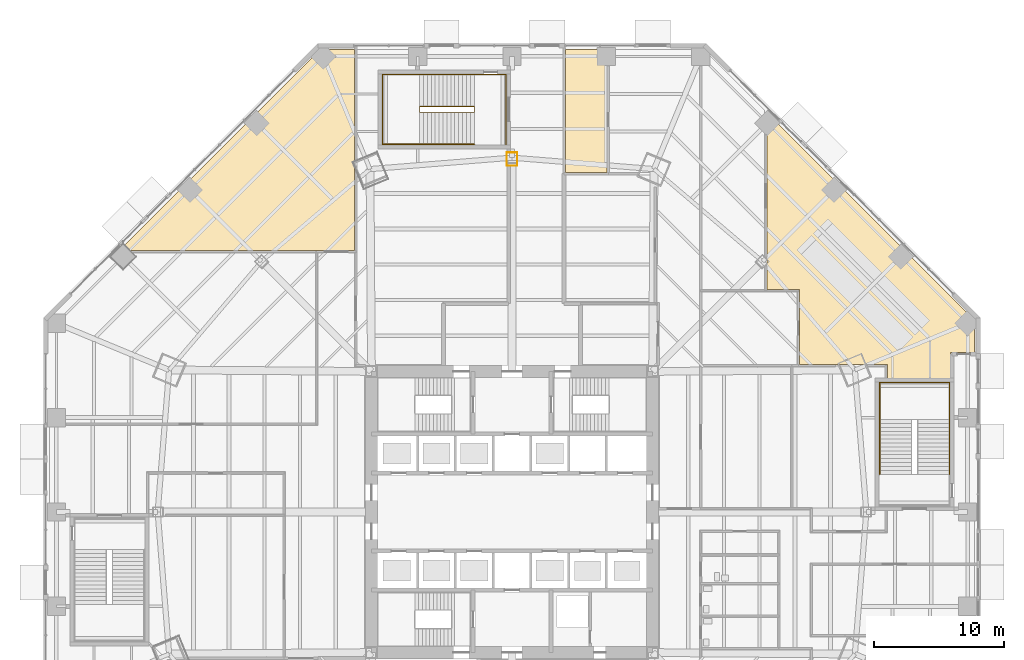
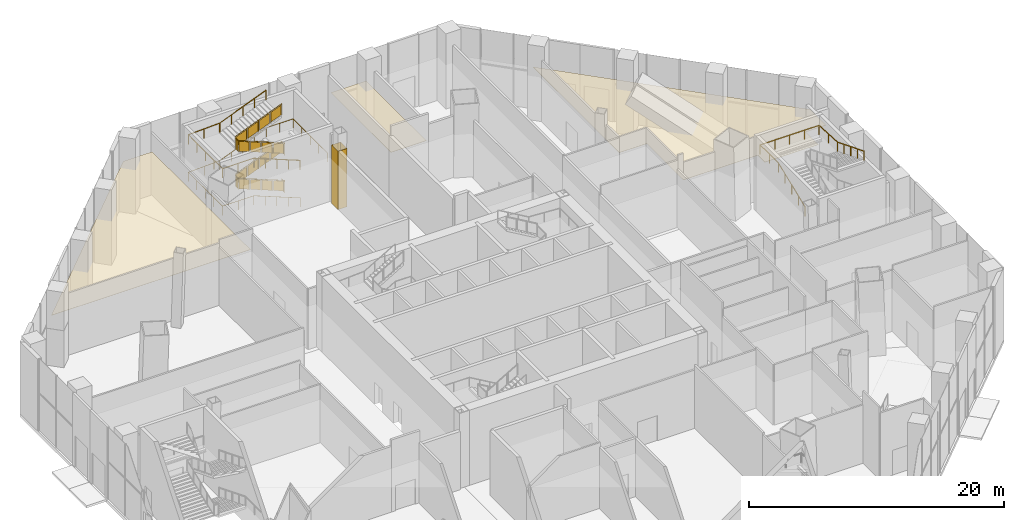
# One storey, part 33 of 35: 4 coverings, 4 railings.
"""IFC4 building model written with IfcOpenShell, lengths in metres."""

from ifc_helpers import new_model, si_unit, direction, frame, origin, origin_2d, place, context, subcontext, project, spatial, polyline, circle, outline, extrude, material, layer, layer_set, type_object, element, save


model = new_model("IFC4")

# Units and contexts
model_context = context("Model", 3, precision=1e-05, world=origin(), true_north=direction((0.0, 1.0)))
body_context = subcontext(model_context, "Body", "Model", "MODEL_VIEW")
ifc_project = project(units=[si_unit("LENGTHUNIT", "METRE"), si_unit("AREAUNIT", "SQUARE_METRE"), si_unit("VOLUMEUNIT", "CUBIC_METRE"), si_unit("PLANEANGLEUNIT", "RADIAN"), si_unit("MASSUNIT", "GRAM", prefix="KILO")], contexts=[model_context])

# Site, building, storey
site_placement = place(None, origin())
site = spatial("IfcSite", under=ifc_project, at=site_placement, CompositionType="ELEMENT")
building_placement = place(site_placement, origin())
building = spatial("IfcBuilding", under=site, at=building_placement, Name="Mashrafa Tower", CompositionType="ELEMENT")
storey_placement = place(building_placement, origin())
storey = spatial("IfcBuildingStorey", under=building, at=storey_placement, Name="L00", CompositionType="ELEMENT", Elevation=0.0)

# Covering
ifc_material_1 = material(Name="Gypsum board")
ifc_layer_1 = layer(ifc_material_1, 0.014892578125)
ifc_layer_set_1 = layer_set([ifc_layer_1], Name="Column casing plasterboard 15")
covering_type_1 = type_object("IfcCoveringType", Name="Column casing plasterboard 15", PredefinedType="CLADDING", material=ifc_layer_set_1)
covering_1_placement = place(storey_placement, origin())
element("IfcCovering", 1, at=covering_1_placement, inside=storey, type_object=covering_type_1, Name="Column casing L00-003", PredefinedType="CLADDING", context=body_context, shape_type="SweptSolid", body=[
    extrude(outline(polyline([(-0.4150390625, 27.6298828125), (0.4150390625, 27.6298828125), (0.4150390625, 26.595947265625), (-0.4150390625, 26.595947265625), (-0.4150390625, 27.6298828125)]), holes=[polyline([(0.39990234375, 26.61083984375), (0.39990234375, 27.614990234375), (-0.39990234375, 27.614990234375), (-0.39990234375, 26.61083984375), (0.39990234375, 26.61083984375)])]), origin(), (0.0, 0.0, 1.0), 5.590087890625),
])

# Railings
ifc_material_2 = material(Name="Steel guard with glass infill", Category="steel")
railing_type_1 = type_object("IfcRailingType", Name="Stair guard 1100", PredefinedType="GUARDRAIL", material=ifc_material_2)
railing_1_placement = place(storey_placement, frame((-2.89990234375, 31.14990234375, 0.0)))
element("IfcRailing", 2, at=railing_1_placement, inside=storey, type_object=railing_type_1, Name="Stair P2 guard L00", PredefinedType="GUARDRAIL", context=body_context, shape_type="SweptSolid", body=[
    extrude(circle(Radius=0.02392578125, at=origin_2d()), frame((0.0, 0.0, 1.076171875), z_axis=(0.0, -1.0, 0.0), x_axis=(1.0, 0.0, 0.0)), (0.0, 0.0, 1.0), 0.449951171875),
    extrude(circle(Radius=0.02392578125, at=origin_2d()), frame((0.0, -0.449951171875, 1.076171875), z_axis=(0.0, 0.0, 1.0), x_axis=(1.0, 0.0, 0.0)), (0.0, 0.0, 1.0), 0.1201171875),
    extrude(circle(Radius=0.02392578125, at=origin_2d()), frame((0.0, -0.449951171875, 1.1962890625), z_axis=(-0.928487856528, 0.0, 0.37136276103), x_axis=(0.0, -1.0, 0.0)), (0.0, 0.0, 1.0), 4.523681640625),
    extrude(circle(Radius=0.02392578125, at=origin_2d()), frame((-4.2001953125, -0.449951171875, 2.8759765625), z_axis=(0.0, 1.0, 0.0), x_axis=(-1.0, 0.0, 0.0)), (0.0, 0.0, 1.0), 0.449951171875),
    extrude(circle(Radius=0.02392578125, at=origin_2d()), frame((-4.2001953125, 0.0, 2.8759765625), z_axis=(0.0, 0.0, 1.0), x_axis=(1.0, 0.0, 0.0)), (0.0, 0.0, 1.0), 0.119873046875),
    extrude(circle(Radius=0.02392578125, at=origin_2d()), frame((-4.2001953125, 0.0, 2.99609375), z_axis=(0.928469246806, 0.0, 0.37140928601), x_axis=(0.0, 1.0, 0.0)), (0.0, 0.0, 1.0), 4.523681640625),
    extrude(circle(Radius=0.02392578125, at=origin_2d()), frame((0.0, 0.0, 4.67626953125), z_axis=(0.0, -1.0, 0.0), x_axis=(1.0, 0.0, 0.0)), (0.0, 0.0, 1.0), 0.449951171875),
    extrude(circle(Radius=0.02392578125, at=origin_2d()), frame((0.0, -0.449951171875, 4.67626953125), z_axis=(0.0, 0.0, 1.0), x_axis=(1.0, 0.0, 0.0)), (0.0, 0.0, 1.0), 0.119873046875),
    extrude(circle(Radius=0.02392578125, at=origin_2d()), frame((0.0, -0.449951171875, 4.7958984375), z_axis=(-0.928487856528, 0.0, 0.37136276103), x_axis=(0.0, -1.0, 0.0)), (0.0, 0.0, 1.0), 4.523681640625),
    extrude(circle(Radius=0.02392578125, at=origin_2d()), frame((-4.2001953125, -0.449951171875, 6.47607421875), z_axis=(0.0, 1.0, 0.0), x_axis=(-1.0, 0.0, 0.0)), (0.0, 0.0, 1.0), 0.449951171875),
    extrude(circle(Radius=0.02392578125, at=origin_2d()), frame((-4.2001953125, 0.0, 6.47607421875), z_axis=(0.0, 0.0, 1.0), x_axis=(1.0, 0.0, 0.0)), (0.0, 0.0, 1.0), 0.1201171875),
    extrude(circle(Radius=0.02392578125, at=origin_2d()), frame((-4.2001953125, 0.0, 6.59619140625), z_axis=(0.928487856528, 0.0, 0.37136276103), x_axis=(0.0, 1.0, 0.0)), (0.0, 0.0, 1.0), 4.523681640625),
    extrude(circle(Radius=0.02099609375, at=origin_2d()), origin(), (0.0, 0.0, 1.0), 1.052001953125),
    extrude(circle(Radius=0.02099609375, at=origin_2d()), frame((0.0, -0.449951171875, 0.0)), (0.0, 0.0, 1.0), 1.052001953125),
    extrude(circle(Radius=0.02099609375, at=origin_2d()), frame((0.0, -0.449951171875, 0.1201171875)), (0.0, 0.0, 1.0), 1.052001953125),
    extrude(circle(Radius=0.02099609375, at=origin_2d()), frame((-1.050048828125, -0.449951171875, 0.5400390625)), (0.0, 0.0, 1.0), 1.052001953125),
    extrude(circle(Radius=0.02099609375, at=origin_2d()), frame((-2.10009765625, -0.449951171875, 0.9599609375)), (0.0, 0.0, 1.0), 1.052001953125),
    extrude(circle(Radius=0.02099609375, at=origin_2d()), frame((-3.150146484375, -0.449951171875, 1.380126953125)), (0.0, 0.0, 1.0), 1.052001953125),
    extrude(circle(Radius=0.02099609375, at=origin_2d()), frame((-4.2001953125, -0.449951171875, 1.800048828125)), (0.0, 0.0, 1.0), 1.052001953125),
    extrude(circle(Radius=0.02099609375, at=origin_2d()), frame((-4.2001953125, 0.0, 1.800048828125)), (0.0, 0.0, 1.0), 1.052001953125),
    extrude(circle(Radius=0.02099609375, at=origin_2d()), frame((-4.2001953125, 0.0, 1.919921875)), (0.0, 0.0, 1.0), 1.052001953125),
    extrude(circle(Radius=0.02099609375, at=origin_2d()), frame((-3.150146484375, 0.0, 2.33984375)), (0.0, 0.0, 1.0), 1.052001953125),
    extrude(circle(Radius=0.02099609375, at=origin_2d()), frame((-2.10009765625, 0.0, 2.760009765625)), (0.0, 0.0, 1.0), 1.052001953125),
    extrude(circle(Radius=0.02099609375, at=origin_2d()), frame((-1.050048828125, 0.0, 3.18017578125)), (0.0, 0.0, 1.0), 1.052001953125),
    extrude(circle(Radius=0.02099609375, at=origin_2d()), frame((0.0, 0.0, 3.60009765625)), (0.0, 0.0, 1.0), 1.052001953125),
    extrude(circle(Radius=0.02099609375, at=origin_2d()), frame((0.0, -0.449951171875, 3.60009765625)), (0.0, 0.0, 1.0), 1.052001953125),
    extrude(circle(Radius=0.02099609375, at=origin_2d()), frame((0.0, -0.449951171875, 3.719970703125)), (0.0, 0.0, 1.0), 1.052001953125),
    extrude(circle(Radius=0.02099609375, at=origin_2d()), frame((-1.050048828125, -0.449951171875, 4.139892578125)), (0.0, 0.0, 1.0), 1.052001953125),
    extrude(circle(Radius=0.02099609375, at=origin_2d()), frame((-2.10009765625, -0.449951171875, 4.56005859375)), (0.0, 0.0, 1.0), 1.052001953125),
    extrude(circle(Radius=0.02099609375, at=origin_2d()), frame((-3.150146484375, -0.449951171875, 4.97998046875)), (0.0, 0.0, 1.0), 1.052001953125),
    extrude(circle(Radius=0.02099609375, at=origin_2d()), frame((-4.2001953125, -0.449951171875, 5.39990234375)), (0.0, 0.0, 1.0), 1.052001953125),
    extrude(circle(Radius=0.02099609375, at=origin_2d()), frame((-4.2001953125, 0.0, 5.39990234375)), (0.0, 0.0, 1.0), 1.052001953125),
    extrude(circle(Radius=0.02099609375, at=origin_2d()), frame((-4.2001953125, 0.0, 5.52001953125)), (0.0, 0.0, 1.0), 1.052001953125),
    extrude(circle(Radius=0.02099609375, at=origin_2d()), frame((-3.150146484375, 0.0, 5.93994140625)), (0.0, 0.0, 1.0), 1.052001953125),
    extrude(circle(Radius=0.02099609375, at=origin_2d()), frame((-2.10009765625, 0.0, 6.35986328125)), (0.0, 0.0, 1.0), 1.052001953125),
    extrude(circle(Radius=0.02099609375, at=origin_2d()), frame((-1.050048828125, 0.0, 6.780029296875)), (0.0, 0.0, 1.0), 1.052001953125),
    extrude(circle(Radius=0.02099609375, at=origin_2d()), frame((0.0, 0.0, 7.199951171875)), (0.0, 0.0, 1.0), 1.052001953125),
    extrude(outline(polyline([(0.071044921875, 0.050048828125), (0.37890625, 0.050048828125), (0.37890625, 1.001953125), (0.071044921875, 1.001953125), (0.071044921875, 0.050048828125)])), frame((-0.006103515625, 0.0, 0.0), z_axis=(-1.0, 0.0, 0.0), x_axis=(0.0, -1.0, 0.0)), (0.0, 0.0, 1.0), 0.011962890625),
    extrude(outline(polyline([(0.071044921875, 0.078369140625), (0.97900390625, 0.441650390625), (0.97900390625, 1.3935546875), (0.071044921875, 1.030517578125), (0.071044921875, 0.078369140625)])), frame((0.0, -0.44384765625, 0.1201171875), z_axis=(0.0, 1.0, 0.0), x_axis=(-1.0, 0.0, 0.0)), (0.0, 0.0, 1.0), 0.011962890625),
    extrude(outline(polyline([(1.12109375, 0.498291015625), (2.029052734375, 0.861572265625), (2.029052734375, 1.8134765625), (1.12109375, 1.450439453125), (1.12109375, 0.498291015625)])), frame((0.0, -0.44384765625, 0.1201171875), z_axis=(0.0, 1.0, 0.0), x_axis=(-1.0, 0.0, 0.0)), (0.0, 0.0, 1.0), 0.011962890625),
    extrude(outline(polyline([(2.171142578125, 0.91845703125), (3.0791015625, 1.281494140625), (3.0791015625, 2.233642578125), (2.171142578125, 1.870361328125), (2.171142578125, 0.91845703125)])), frame((0.0, -0.44384765625, 0.1201171875), z_axis=(0.0, 1.0, 0.0), x_axis=(-1.0, 0.0, 0.0)), (0.0, 0.0, 1.0), 0.011962890625),
    extrude(outline(polyline([(3.22119140625, 1.33837890625), (4.129150390625, 1.701416015625), (4.129150390625, 2.653564453125), (3.22119140625, 2.290283203125), (3.22119140625, 1.33837890625)])), frame((0.0, -0.44384765625, 0.1201171875), z_axis=(0.0, 1.0, 0.0), x_axis=(-1.0, 0.0, 0.0)), (0.0, 0.0, 1.0), 0.011962890625),
    extrude(outline(polyline([(0.071044921875, 0.050048828125), (0.37890625, 0.050048828125), (0.37890625, 1.001953125), (0.071044921875, 1.001953125), (0.071044921875, 0.050048828125)])), frame((-4.194091796875, -0.449951171875, 1.800048828125), z_axis=(1.0, 0.0, 0.0), x_axis=(0.0, 1.0, 0.0)), (0.0, 0.0, 1.0), 0.011962890625),
    extrude(outline(polyline([(0.071044921875, 0.078369140625), (0.97900390625, 0.441650390625), (0.97900390625, 1.3935546875), (0.071044921875, 1.030517578125), (0.071044921875, 0.078369140625)])), frame((-4.2001953125, -0.006103515625, 1.919921875), z_axis=(0.0, -1.0, 0.0), x_axis=(1.0, 0.0, 0.0)), (0.0, 0.0, 1.0), 0.011962890625),
    extrude(outline(polyline([(1.12109375, 0.49853515625), (2.029052734375, 0.861572265625), (2.029052734375, 1.813720703125), (1.12109375, 1.450439453125), (1.12109375, 0.49853515625)])), frame((-4.2001953125, -0.006103515625, 1.919921875), z_axis=(0.0, -1.0, 0.0), x_axis=(1.0, 0.0, 0.0)), (0.0, 0.0, 1.0), 0.011962890625),
    extrude(outline(polyline([(2.171142578125, 0.91845703125), (3.0791015625, 1.28173828125), (3.0791015625, 2.233642578125), (2.171142578125, 1.87060546875), (2.171142578125, 0.91845703125)])), frame((-4.2001953125, -0.006103515625, 1.919921875), z_axis=(0.0, -1.0, 0.0), x_axis=(1.0, 0.0, 0.0)), (0.0, 0.0, 1.0), 0.011962890625),
    extrude(outline(polyline([(3.22119140625, 1.338623046875), (4.129150390625, 1.70166015625), (4.129150390625, 2.65380859375), (3.22119140625, 2.29052734375), (3.22119140625, 1.338623046875)])), frame((-4.2001953125, -0.006103515625, 1.919921875), z_axis=(0.0, -1.0, 0.0), x_axis=(1.0, 0.0, 0.0)), (0.0, 0.0, 1.0), 0.011962890625),
    extrude(outline(polyline([(0.071044921875, 0.050048828125), (0.37890625, 0.050048828125), (0.37890625, 1.001953125), (0.071044921875, 1.001953125), (0.071044921875, 0.050048828125)])), frame((-0.006103515625, 0.0, 3.60009765625), z_axis=(-1.0, 0.0, 0.0), x_axis=(0.0, -1.0, 0.0)), (0.0, 0.0, 1.0), 0.011962890625),
    extrude(outline(polyline([(0.071044921875, 0.078369140625), (0.97900390625, 0.441650390625), (0.97900390625, 1.3935546875), (0.071044921875, 1.030517578125), (0.071044921875, 0.078369140625)])), frame((0.0, -0.44384765625, 3.719970703125), z_axis=(0.0, 1.0, 0.0), x_axis=(-1.0, 0.0, 0.0)), (0.0, 0.0, 1.0), 0.011962890625),
    extrude(outline(polyline([(1.12109375, 0.498291015625), (2.029052734375, 0.861572265625), (2.029052734375, 1.8134765625), (1.12109375, 1.450439453125), (1.12109375, 0.498291015625)])), frame((0.0, -0.44384765625, 3.719970703125), z_axis=(0.0, 1.0, 0.0), x_axis=(-1.0, 0.0, 0.0)), (0.0, 0.0, 1.0), 0.011962890625),
    extrude(outline(polyline([(2.171142578125, 0.91845703125), (3.0791015625, 1.281494140625), (3.0791015625, 2.233642578125), (2.171142578125, 1.870361328125), (2.171142578125, 0.91845703125)])), frame((0.0, -0.44384765625, 3.719970703125), z_axis=(0.0, 1.0, 0.0), x_axis=(-1.0, 0.0, 0.0)), (0.0, 0.0, 1.0), 0.011962890625),
    extrude(outline(polyline([(3.22119140625, 1.33837890625), (4.129150390625, 1.701416015625), (4.129150390625, 2.653564453125), (3.22119140625, 2.290283203125), (3.22119140625, 1.33837890625)])), frame((0.0, -0.44384765625, 3.719970703125), z_axis=(0.0, 1.0, 0.0), x_axis=(-1.0, 0.0, 0.0)), (0.0, 0.0, 1.0), 0.011962890625),
    extrude(outline(polyline([(0.071044921875, 0.050048828125), (0.37890625, 0.050048828125), (0.37890625, 1.001953125), (0.071044921875, 1.001953125), (0.071044921875, 0.050048828125)])), frame((-4.194091796875, -0.449951171875, 5.39990234375), z_axis=(1.0, 0.0, 0.0), x_axis=(0.0, 1.0, 0.0)), (0.0, 0.0, 1.0), 0.011962890625),
    extrude(outline(polyline([(0.071044921875, 0.078369140625), (0.97900390625, 0.441650390625), (0.97900390625, 1.3935546875), (0.071044921875, 1.030517578125), (0.071044921875, 0.078369140625)])), frame((-4.2001953125, -0.006103515625, 5.52001953125), z_axis=(0.0, -1.0, 0.0), x_axis=(1.0, 0.0, 0.0)), (0.0, 0.0, 1.0), 0.011962890625),
    extrude(outline(polyline([(1.12109375, 0.498291015625), (2.029052734375, 0.861572265625), (2.029052734375, 1.8134765625), (1.12109375, 1.450439453125), (1.12109375, 0.498291015625)])), frame((-4.2001953125, -0.006103515625, 5.52001953125), z_axis=(0.0, -1.0, 0.0), x_axis=(1.0, 0.0, 0.0)), (0.0, 0.0, 1.0), 0.011962890625),
    extrude(outline(polyline([(2.171142578125, 0.91845703125), (3.0791015625, 1.281494140625), (3.0791015625, 2.233642578125), (2.171142578125, 1.870361328125), (2.171142578125, 0.91845703125)])), frame((-4.2001953125, -0.006103515625, 5.52001953125), z_axis=(0.0, -1.0, 0.0), x_axis=(1.0, 0.0, 0.0)), (0.0, 0.0, 1.0), 0.011962890625),
    extrude(outline(polyline([(3.22119140625, 1.33837890625), (4.129150390625, 1.701416015625), (4.129150390625, 2.653564453125), (3.22119140625, 2.290283203125), (3.22119140625, 1.33837890625)])), frame((-4.2001953125, -0.006103515625, 5.52001953125), z_axis=(0.0, -1.0, 0.0), x_axis=(1.0, 0.0, 0.0)), (0.0, 0.0, 1.0), 0.011962890625),
])
ifc_material_3 = material(Name="Steel", Category="steel")
railing_type_2 = type_object("IfcRailingType", Name="Stair handrail 900", PredefinedType="HANDRAIL", material=ifc_material_3)
railing_2_placement = place(storey_placement, frame((28.25, 2.89990234375, 3.719970703125)))
element("IfcRailing", 3, at=railing_2_placement, inside=storey, type_object=railing_type_2, Name="Stair P1 upper handrail L00", PredefinedType="HANDRAIL", context=body_context, shape_type="SweptSolid", body=[
    extrude(circle(Radius=0.02392578125, at=origin_2d()), frame((0.0, 0.0, 0.8759765625), z_axis=(0.0, 0.928487856528, 0.37136276103), x_axis=(-1.0, 0.0, 0.0)), (0.0, 0.0, 1.0), 4.523681640625),
    extrude(circle(Radius=0.02392578125, at=origin_2d()), frame((0.0, 4.2001953125, 2.5556640625), z_axis=(0.0, 1.0, 0.0), x_axis=(-1.0, 0.0, 0.0)), (0.0, 0.0, 1.0), 2.849853515625),
    extrude(circle(Radius=0.02392578125, at=origin_2d()), frame((0.0, 7.050048828125, 2.5556640625), z_axis=(1.0, 0.0, 0.0), x_axis=(0.0, 1.0, 0.0)), (0.0, 0.0, 1.0), 5.35009765625),
    extrude(circle(Radius=0.02392578125, at=origin_2d()), frame((5.35009765625, 7.050048828125, 2.5556640625), z_axis=(0.0, -0.999112931687, 0.04211115929), x_axis=(1.0, 0.0, 0.0)), (0.0, 0.0, 1.0), 2.852294921875),
    extrude(circle(Radius=0.02392578125, at=origin_2d()), frame((5.35009765625, 4.2001953125, 2.67578125), z_axis=(0.0, -0.928487856528, 0.37136276103), x_axis=(1.0, 0.0, 0.0)), (0.0, 0.0, 1.0), 4.523681640625),
    extrude(circle(Radius=0.02099609375, at=origin_2d()), origin(), (0.0, 0.0, 1.0), 0.851806640625),
    extrude(circle(Radius=0.02099609375, at=origin_2d()), frame((0.0, 1.050048828125, 0.419921875)), (0.0, 0.0, 1.0), 0.851806640625),
    extrude(circle(Radius=0.02099609375, at=origin_2d()), frame((0.0, 2.10009765625, 0.83984375)), (0.0, 0.0, 1.0), 0.851806640625),
    extrude(circle(Radius=0.02099609375, at=origin_2d()), frame((0.0, 3.150146484375, 1.260009765625)), (0.0, 0.0, 1.0), 0.851806640625),
    extrude(circle(Radius=0.02099609375, at=origin_2d()), frame((0.0, 4.2001953125, 1.679931640625)), (0.0, 0.0, 1.0), 0.851806640625),
    extrude(circle(Radius=0.02099609375, at=origin_2d()), frame((0.0, 5.625, 1.679931640625)), (0.0, 0.0, 1.0), 0.851806640625),
    extrude(circle(Radius=0.02099609375, at=origin_2d()), frame((0.0, 7.050048828125, 1.679931640625)), (0.0, 0.0, 1.0), 0.851806640625),
    extrude(circle(Radius=0.02099609375, at=origin_2d()), frame((1.33740234375, 7.050048828125, 1.679931640625)), (0.0, 0.0, 1.0), 0.851806640625),
    extrude(circle(Radius=0.02099609375, at=origin_2d()), frame((2.675048828125, 7.050048828125, 1.679931640625)), (0.0, 0.0, 1.0), 0.851806640625),
    extrude(circle(Radius=0.02099609375, at=origin_2d()), frame((4.0126953125, 7.050048828125, 1.679931640625)), (0.0, 0.0, 1.0), 0.851806640625),
    extrude(circle(Radius=0.02099609375, at=origin_2d()), frame((5.35009765625, 7.050048828125, 1.679931640625)), (0.0, 0.0, 1.0), 0.851806640625),
    extrude(circle(Radius=0.02099609375, at=origin_2d()), frame((5.35009765625, 5.625, 1.739990234375)), (0.0, 0.0, 1.0), 0.851806640625),
    extrude(circle(Radius=0.02099609375, at=origin_2d()), frame((5.35009765625, 4.2001953125, 1.800048828125)), (0.0, 0.0, 1.0), 0.851806640625),
    extrude(circle(Radius=0.02099609375, at=origin_2d()), frame((5.35009765625, 3.150146484375, 2.219970703125)), (0.0, 0.0, 1.0), 0.851806640625),
    extrude(circle(Radius=0.02099609375, at=origin_2d()), frame((5.35009765625, 2.10009765625, 2.64013671875)), (0.0, 0.0, 1.0), 0.851806640625),
    extrude(circle(Radius=0.02099609375, at=origin_2d()), frame((5.35009765625, 1.050048828125, 3.06005859375)), (0.0, 0.0, 1.0), 0.851806640625),
    extrude(circle(Radius=0.02099609375, at=origin_2d()), frame((5.35009765625, 0.0, 3.47998046875)), (0.0, 0.0, 1.0), 0.851806640625),
])
railing_3_placement = place(storey_placement, frame((-2.89990234375, 28.25, 0.1201171875)))
element("IfcRailing", 4, at=railing_3_placement, inside=storey, type_object=railing_type_2, Name="Stair P2 handrail L00", PredefinedType="HANDRAIL", context=body_context, shape_type="SweptSolid", body=[
    extrude(circle(Radius=0.02392578125, at=origin_2d()), frame((0.0, 0.0, 0.8759765625), z_axis=(-0.928487856528, 0.0, 0.37136276103), x_axis=(0.0, -1.0, 0.0)), (0.0, 0.0, 1.0), 4.523681640625),
    extrude(circle(Radius=0.02392578125, at=origin_2d()), frame((-4.2001953125, 0.0, 2.5556640625), z_axis=(-1.0, 0.0, 0.0), x_axis=(0.0, -1.0, 0.0)), (0.0, 0.0, 1.0), 2.849853515625),
    extrude(circle(Radius=0.02392578125, at=origin_2d()), frame((-7.050048828125, 0.0, 2.5556640625), z_axis=(0.0, 1.0, 0.0), x_axis=(-1.0, 0.0, 0.0)), (0.0, 0.0, 1.0), 5.35009765625),
    extrude(circle(Radius=0.02392578125, at=origin_2d()), frame((-7.050048828125, 5.35009765625, 2.5556640625), z_axis=(0.999116529218, 0.0, 0.042025718825), x_axis=(0.0, 1.0, 0.0)), (0.0, 0.0, 1.0), 2.852294921875),
    extrude(circle(Radius=0.02392578125, at=origin_2d()), frame((-4.2001953125, 5.35009765625, 2.67578125), z_axis=(0.928469246806, 0.0, 0.37140928601), x_axis=(0.0, 1.0, 0.0)), (0.0, 0.0, 1.0), 4.523681640625),
    extrude(circle(Radius=0.02392578125, at=origin_2d()), frame((0.0, 5.35009765625, 4.35595703125), z_axis=(1.0, 0.0, 0.0), x_axis=(0.0, 1.0, 0.0)), (0.0, 0.0, 1.0), 2.449951171875),
    extrude(circle(Radius=0.02392578125, at=origin_2d()), frame((2.449951171875, 5.35009765625, 4.35595703125), z_axis=(0.0, -1.0, 0.0), x_axis=(1.0, 0.0, 0.0)), (0.0, 0.0, 1.0), 5.35009765625),
    extrude(circle(Radius=0.02099609375, at=origin_2d()), origin(), (0.0, 0.0, 1.0), 0.851806640625),
    extrude(circle(Radius=0.02099609375, at=origin_2d()), frame((-1.050048828125, 0.0, 0.419921875)), (0.0, 0.0, 1.0), 0.851806640625),
    extrude(circle(Radius=0.02099609375, at=origin_2d()), frame((-2.10009765625, 0.0, 0.83984375)), (0.0, 0.0, 1.0), 0.851806640625),
    extrude(circle(Radius=0.02099609375, at=origin_2d()), frame((-3.150146484375, 0.0, 1.260009765625)), (0.0, 0.0, 1.0), 0.851806640625),
    extrude(circle(Radius=0.02099609375, at=origin_2d()), frame((-4.2001953125, 0.0, 1.679931640625)), (0.0, 0.0, 1.0), 0.851806640625),
    extrude(circle(Radius=0.02099609375, at=origin_2d()), frame((-5.625, 0.0, 1.679931640625)), (0.0, 0.0, 1.0), 0.851806640625),
    extrude(circle(Radius=0.02099609375, at=origin_2d()), frame((-7.050048828125, 0.0, 1.679931640625)), (0.0, 0.0, 1.0), 0.851806640625),
    extrude(circle(Radius=0.02099609375, at=origin_2d()), frame((-7.050048828125, 1.33740234375, 1.679931640625)), (0.0, 0.0, 1.0), 0.851806640625),
    extrude(circle(Radius=0.02099609375, at=origin_2d()), frame((-7.050048828125, 2.675048828125, 1.679931640625)), (0.0, 0.0, 1.0), 0.851806640625),
    extrude(circle(Radius=0.02099609375, at=origin_2d()), frame((-7.050048828125, 4.0126953125, 1.679931640625)), (0.0, 0.0, 1.0), 0.851806640625),
    extrude(circle(Radius=0.02099609375, at=origin_2d()), frame((-7.050048828125, 5.35009765625, 1.679931640625)), (0.0, 0.0, 1.0), 0.851806640625),
    extrude(circle(Radius=0.02099609375, at=origin_2d()), frame((-5.625, 5.35009765625, 1.73974609375)), (0.0, 0.0, 1.0), 0.851806640625),
    extrude(circle(Radius=0.02099609375, at=origin_2d()), frame((-4.2001953125, 5.35009765625, 1.7998046875)), (0.0, 0.0, 1.0), 0.851806640625),
    extrude(circle(Radius=0.02099609375, at=origin_2d()), frame((-3.150146484375, 5.35009765625, 2.2197265625)), (0.0, 0.0, 1.0), 0.851806640625),
    extrude(circle(Radius=0.02099609375, at=origin_2d()), frame((-2.10009765625, 5.35009765625, 2.639892578125)), (0.0, 0.0, 1.0), 0.851806640625),
    extrude(circle(Radius=0.02099609375, at=origin_2d()), frame((-1.050048828125, 5.35009765625, 3.06005859375)), (0.0, 0.0, 1.0), 0.851806640625),
    extrude(circle(Radius=0.02099609375, at=origin_2d()), frame((0.0, 5.35009765625, 3.47998046875)), (0.0, 0.0, 1.0), 0.851806640625),
    extrude(circle(Radius=0.02099609375, at=origin_2d()), frame((1.22509765625, 5.35009765625, 3.47998046875)), (0.0, 0.0, 1.0), 0.851806640625),
    extrude(circle(Radius=0.02099609375, at=origin_2d()), frame((2.449951171875, 5.35009765625, 3.47998046875)), (0.0, 0.0, 1.0), 0.851806640625),
    extrude(circle(Radius=0.02099609375, at=origin_2d()), frame((2.449951171875, 4.0126953125, 3.47998046875)), (0.0, 0.0, 1.0), 0.851806640625),
    extrude(circle(Radius=0.02099609375, at=origin_2d()), frame((2.449951171875, 2.675048828125, 3.47998046875)), (0.0, 0.0, 1.0), 0.851806640625),
    extrude(circle(Radius=0.02099609375, at=origin_2d()), frame((2.449951171875, 1.33740234375, 3.47998046875)), (0.0, 0.0, 1.0), 0.851806640625),
    extrude(circle(Radius=0.02099609375, at=origin_2d()), frame((2.449951171875, 0.0, 3.47998046875)), (0.0, 0.0, 1.0), 0.851806640625),
])
railing_4_placement = place(storey_placement, frame((-2.89990234375, 28.25, 3.719970703125)))
element("IfcRailing", 5, at=railing_4_placement, inside=storey, type_object=railing_type_2, Name="Stair P2 upper handrail L00", PredefinedType="HANDRAIL", context=body_context, shape_type="SweptSolid", body=[
    extrude(circle(Radius=0.02392578125, at=origin_2d()), frame((0.0, 0.0, 0.8759765625), z_axis=(-0.928487856528, 0.0, 0.37136276103), x_axis=(0.0, -1.0, 0.0)), (0.0, 0.0, 1.0), 4.523681640625),
    extrude(circle(Radius=0.02392578125, at=origin_2d()), frame((-4.2001953125, 0.0, 2.5556640625), z_axis=(-1.0, 0.0, 0.0), x_axis=(0.0, -1.0, 0.0)), (0.0, 0.0, 1.0), 2.849853515625),
    extrude(circle(Radius=0.02392578125, at=origin_2d()), frame((-7.050048828125, 0.0, 2.5556640625), z_axis=(0.0, 1.0, 0.0), x_axis=(-1.0, 0.0, 0.0)), (0.0, 0.0, 1.0), 5.35009765625),
    extrude(circle(Radius=0.02392578125, at=origin_2d()), frame((-7.050048828125, 5.35009765625, 2.5556640625), z_axis=(0.999112931687, 0.0, 0.04211115929), x_axis=(0.0, 1.0, 0.0)), (0.0, 0.0, 1.0), 2.852294921875),
    extrude(circle(Radius=0.02392578125, at=origin_2d()), frame((-4.2001953125, 5.35009765625, 2.67578125), z_axis=(0.928487856528, 0.0, 0.37136276103), x_axis=(0.0, 1.0, 0.0)), (0.0, 0.0, 1.0), 4.523681640625),
    extrude(circle(Radius=0.02099609375, at=origin_2d()), origin(), (0.0, 0.0, 1.0), 0.851806640625),
    extrude(circle(Radius=0.02099609375, at=origin_2d()), frame((-1.050048828125, 0.0, 0.419921875)), (0.0, 0.0, 1.0), 0.851806640625),
    extrude(circle(Radius=0.02099609375, at=origin_2d()), frame((-2.10009765625, 0.0, 0.83984375)), (0.0, 0.0, 1.0), 0.851806640625),
    extrude(circle(Radius=0.02099609375, at=origin_2d()), frame((-3.150146484375, 0.0, 1.260009765625)), (0.0, 0.0, 1.0), 0.851806640625),
    extrude(circle(Radius=0.02099609375, at=origin_2d()), frame((-4.2001953125, 0.0, 1.679931640625)), (0.0, 0.0, 1.0), 0.851806640625),
    extrude(circle(Radius=0.02099609375, at=origin_2d()), frame((-5.625, 0.0, 1.679931640625)), (0.0, 0.0, 1.0), 0.851806640625),
    extrude(circle(Radius=0.02099609375, at=origin_2d()), frame((-7.050048828125, 0.0, 1.679931640625)), (0.0, 0.0, 1.0), 0.851806640625),
    extrude(circle(Radius=0.02099609375, at=origin_2d()), frame((-7.050048828125, 1.33740234375, 1.679931640625)), (0.0, 0.0, 1.0), 0.851806640625),
    extrude(circle(Radius=0.02099609375, at=origin_2d()), frame((-7.050048828125, 2.675048828125, 1.679931640625)), (0.0, 0.0, 1.0), 0.851806640625),
    extrude(circle(Radius=0.02099609375, at=origin_2d()), frame((-7.050048828125, 4.0126953125, 1.679931640625)), (0.0, 0.0, 1.0), 0.851806640625),
    extrude(circle(Radius=0.02099609375, at=origin_2d()), frame((-7.050048828125, 5.35009765625, 1.679931640625)), (0.0, 0.0, 1.0), 0.851806640625),
    extrude(circle(Radius=0.02099609375, at=origin_2d()), frame((-5.625, 5.35009765625, 1.739990234375)), (0.0, 0.0, 1.0), 0.851806640625),
    extrude(circle(Radius=0.02099609375, at=origin_2d()), frame((-4.2001953125, 5.35009765625, 1.800048828125)), (0.0, 0.0, 1.0), 0.851806640625),
    extrude(circle(Radius=0.02099609375, at=origin_2d()), frame((-3.150146484375, 5.35009765625, 2.219970703125)), (0.0, 0.0, 1.0), 0.851806640625),
    extrude(circle(Radius=0.02099609375, at=origin_2d()), frame((-2.10009765625, 5.35009765625, 2.64013671875)), (0.0, 0.0, 1.0), 0.851806640625),
    extrude(circle(Radius=0.02099609375, at=origin_2d()), frame((-1.050048828125, 5.35009765625, 3.06005859375)), (0.0, 0.0, 1.0), 0.851806640625),
    extrude(circle(Radius=0.02099609375, at=origin_2d()), frame((0.0, 5.35009765625, 3.47998046875)), (0.0, 0.0, 1.0), 0.851806640625),
])

# Coverings
ifc_material_4 = material(Name="Mineral fibre tile on suspension grid")
ifc_layer_2 = layer(ifc_material_4, 0.014892578125)
ifc_layer_set_2 = layer_set([ifc_layer_2], Name="Suspended ceiling mineral tile 15")
covering_type_2 = type_object("IfcCoveringType", Name="Suspended ceiling mineral tile 15", PredefinedType="CEILING", material=ifc_layer_set_2)
covering_2_placement = place(storey_placement, frame((0.0, 0.0, 4.199951171875)))
element("IfcCovering", 6, at=covering_2_placement, inside=storey, type_object=covering_type_2, Name="Ceiling Fire Command Centre", PredefinedType="CEILING", context=body_context, shape_type="SweptSolid", body=[
    extrude(outline(polyline([(4.10009765625, 26.10009765625), (4.10009765625, 35.550048828125), (7.300048828125, 35.550048828125), (7.300048828125, 26.10009765625), (4.10009765625, 26.10009765625)])), origin(), (0.0, 0.0, 1.0), 0.01513671875),
])
covering_3_placement = place(storey_placement, frame((0.0, 0.0, 4.199951171875)))
element("IfcCovering", 7, at=covering_3_placement, inside=storey, type_object=covering_type_2, Name="Ceiling Retail Unit 001", PredefinedType="CEILING", context=body_context, shape_type="SweptSolid", body=[
    extrude(outline(polyline([(-30.17529296875, 20.10009765625), (-14.725341796875, 35.550048828125), (-12.10009765625, 35.550048828125), (-12.10009765625, 20.10009765625), (-30.17529296875, 20.10009765625)])), origin(), (0.0, 0.0, 1.0), 0.01513671875),
])
covering_4_placement = place(storey_placement, frame((0.0, 0.0, 4.199951171875)))
element("IfcCovering", 8, at=covering_4_placement, inside=storey, type_object=covering_type_2, Name="Ceiling Exhibition Entrance Hall", PredefinedType="CEILING", context=body_context, shape_type="SweptSolid", body=[
    extrude(outline(polyline([(28.85009765625, 11.35009765625), (22.10009765625, 11.35009765625), (22.10009765625, 17.10009765625), (19.60009765625, 17.10009765625), (19.60009765625, 30.67529296875), (35.550048828125, 14.725341796875), (35.550048828125, 12.2412109375), (33.699951171875, 12.2412109375), (33.699951171875, 10.25), (28.85009765625, 10.25), (28.85009765625, 11.35009765625)])), origin(), (0.0, 0.0, 1.0), 0.01513671875),
])

save(model, "model.ifc")
